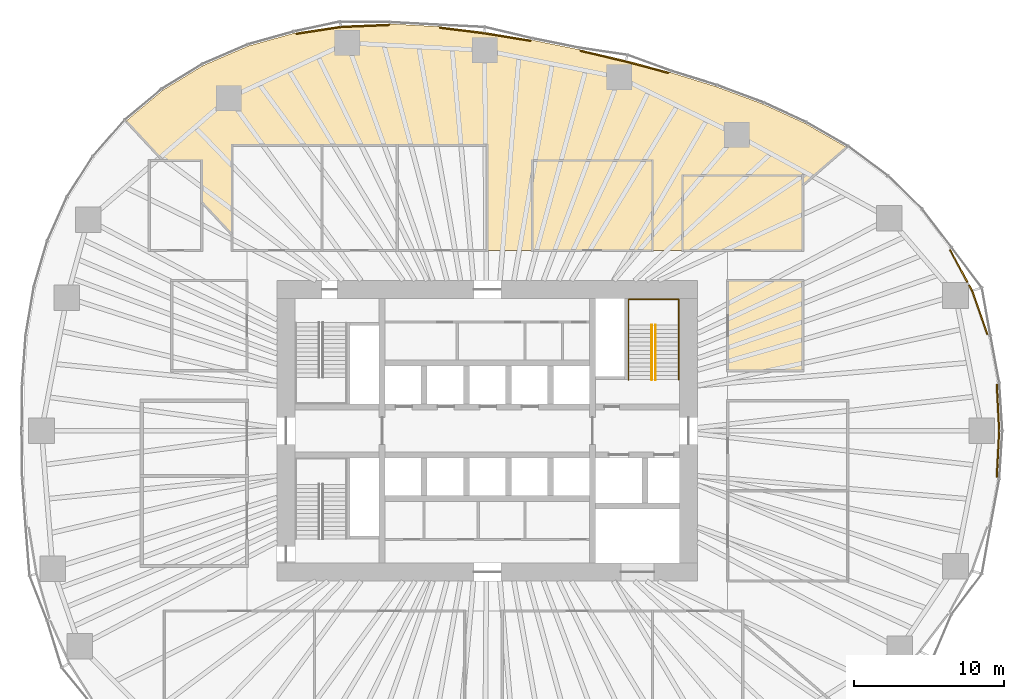
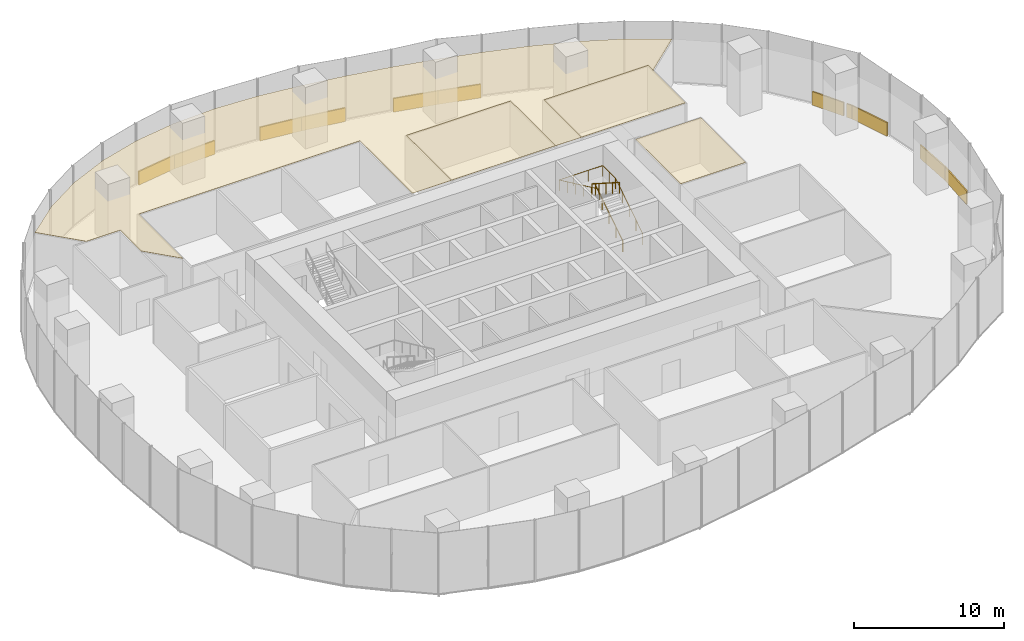
# One storey, part 20 of 20: 15 coverings, 3 railings.
"""IFC4 building model written with IfcOpenShell, lengths in metres."""

from ifc_helpers import new_model, si_unit, direction, frame, origin, origin_2d, place, context, subcontext, project, spatial, polyline, rectangle, circle, outline, extrude, material, layer, layer_set, type_object, element, save


model = new_model("IFC4")

# Units and contexts
model_context = context("Model", 3, precision=1e-05, world=origin(), true_north=direction((0.0, 1.0)))
body_context = subcontext(model_context, "Body", "Model", "MODEL_VIEW")
ifc_project = project(units=[si_unit("LENGTHUNIT", "METRE"), si_unit("AREAUNIT", "SQUARE_METRE"), si_unit("VOLUMEUNIT", "CUBIC_METRE"), si_unit("PLANEANGLEUNIT", "RADIAN"), si_unit("MASSUNIT", "GRAM", prefix="KILO")], contexts=[model_context])

# Site, building, storey
site_placement = place(None, origin())
site = spatial("IfcSite", under=ifc_project, at=site_placement, CompositionType="ELEMENT")
building_placement = place(site_placement, origin())
building = spatial("IfcBuilding", under=site, at=building_placement, Name="Ghaith Harvest Tower", CompositionType="ELEMENT")
storey_placement = place(building_placement, frame((0.0, 0.0, 80.0)))
storey = spatial("IfcBuildingStorey", under=building, at=storey_placement, Name="L16", CompositionType="ELEMENT", Elevation=80.0)

# Coverings
ifc_material_1 = material(Name="Mineral fibre ceiling tile", Category="gypsum")
ifc_layer_1 = layer(ifc_material_1, 0.02490234375)
ifc_layer_set_1 = layer_set([ifc_layer_1], Name="CEILING C2")
covering_type_1 = type_object("IfcCoveringType", Name="CEILING C2", PredefinedType="CEILING", material=ifc_layer_set_1)
covering_1_placement = place(storey_placement, frame((0.0, 0.0, 3.60009765625)))
element("IfcCovering", 1, at=covering_1_placement, inside=storey, type_object=covering_type_1, Name="Ceiling L16-10", PredefinedType="CEILING", context=body_context, shape_type="SweptSolid", body=[
    extrude(outline(polyline([(3.0, 12.0), (11.0, 12.0), (11.0, 18.0), (3.0, 18.0), (3.0, 12.0)])), origin(), (0.0, 0.0, 1.0), 0.02490234375),
])
covering_2_placement = place(storey_placement, frame((0.0, 0.0, 3.60009765625)))
element("IfcCovering", 2, at=covering_2_placement, inside=storey, type_object=covering_type_1, Name="Ceiling L16-13", PredefinedType="CEILING", context=body_context, shape_type="SweptSolid", body=[
    extrude(outline(polyline([(13.0, 12.0), (21.0, 12.0), (21.0, 17.0), (13.0, 17.0), (13.0, 12.0)])), origin(), (0.0, 0.0, 1.0), 0.02490234375),
])
covering_3_placement = place(storey_placement, frame((0.0, 0.0, 3.60009765625)))
element("IfcCovering", 3, at=covering_3_placement, inside=storey, type_object=covering_type_1, Name="Ceiling L16-15", PredefinedType="CEILING", context=body_context, shape_type="SweptSolid", body=[
    extrude(outline(polyline([(16.0, 4.0), (21.0, 4.0), (21.0, 10.0), (16.0, 10.0), (16.0, 4.0)])), origin(), (0.0, 0.0, 1.0), 0.02490234375),
])
covering_4_placement = place(storey_placement, frame((0.0, 0.0, 3.60009765625)))
element("IfcCovering", 4, at=covering_4_placement, inside=storey, type_object=covering_type_1, Name="Ceiling L16-N1", PredefinedType="CEILING", context=body_context, shape_type="SweptSolid", body=[
    extrude(outline(polyline([(-21.59912109375, 22.671142578125), (-18.8935546875, 24.32763671875), (-15.907958984375, 25.614501953125), (-12.828125, 26.476806640625), (-9.733642578125, 26.949951171875), (-6.4375, 27.0849609375), (-3.24755859375, 26.91064453125), (-0.181396484375, 26.527099609375), (2.99560546875, 26.004150390625), (6.10888671875, 25.378662109375), (9.21533203125, 24.65087890625), (12.1796875, 23.857666015625), (15.22119140625, 22.916259765625), (18.34521484375, 21.7548828125), (21.149169921875, 20.469482421875), (23.92431640625, 18.873046875), (21.0, 16.336669921875), (21.0, 17.0), (13.0, 17.0), (13.0, 12.0), (11.0, 12.0), (11.0, 18.0), (3.0, 18.0), (3.0, 12.0), (0.0, 12.0), (0.0, 19.0), (-17.0, 19.0), (-17.0, 13.07080078125), (-19.0, 15.21240234375), (-19.0, 18.0), (-21.60302734375, 18.0), (-24.04833984375, 20.618408203125), (-21.59912109375, 22.671142578125)])), origin(), (0.0, 0.0, 1.0), 0.02490234375),
])

# Railings
ifc_material_2 = material(Name="Steel, black powder-coated", Category="steel")
railing_type = type_object("IfcRailingType", Name="HANDRAIL HR1", PredefinedType="HANDRAIL", material=ifc_material_2)
railing_1_placement = place(storey_placement, frame((11.199951171875, 3.39990234375, 0.178466796875)))
element("IfcRailing", 5, at=railing_1_placement, inside=storey, type_object=railing_type, Name="Handrail HR1 stair ST2 L16 flight 1 inner", PredefinedType="HANDRAIL", context=body_context, shape_type="SweptSolid", body=[
    extrude(circle(Radius=0.02392578125, at=origin_2d()), frame((0.0, 0.0, 0.8759765625), z_axis=(0.0, 0.843127859045, 0.537713132908), x_axis=(-1.0, 0.0, 0.0)), (0.0, 0.0, 1.0), 4.3173828125),
    extrude(circle(Radius=0.02099609375, at=origin_2d()), origin(), (0.0, 0.0, 1.0), 0.851806640625),
    extrude(circle(Radius=0.02099609375, at=origin_2d()), frame((0.0, 0.91015625, 0.580322265625)), (0.0, 0.0, 1.0), 0.851806640625),
    extrude(circle(Radius=0.02099609375, at=origin_2d()), frame((0.0, 1.820068359375, 1.16064453125)), (0.0, 0.0, 1.0), 0.851806640625),
    extrude(circle(Radius=0.02099609375, at=origin_2d()), frame((0.0, 2.72998046875, 1.7412109375)), (0.0, 0.0, 1.0), 0.851806640625),
    extrude(circle(Radius=0.02099609375, at=origin_2d()), frame((0.0, 3.64013671875, 2.321533203125)), (0.0, 0.0, 1.0), 0.851806640625),
])
railing_2_placement = place(storey_placement, frame((10.949951171875, 7.0400390625, 2.678466796875)))
element("IfcRailing", 6, at=railing_2_placement, inside=storey, type_object=railing_type, Name="Handrail HR1 stair ST2 L16 flight 2 inner", PredefinedType="HANDRAIL", context=body_context, shape_type="SweptSolid", body=[
    extrude(circle(Radius=0.02392578125, at=origin_2d()), frame((0.0, 0.0, 0.8759765625), z_axis=(0.0, -0.843127859045, 0.537713132908), x_axis=(1.0, 0.0, 0.0)), (0.0, 0.0, 1.0), 4.3173828125),
    extrude(circle(Radius=0.02099609375, at=origin_2d()), origin(), (0.0, 0.0, 1.0), 0.851806640625),
    extrude(circle(Radius=0.02099609375, at=origin_2d()), frame((0.0, -0.91015625, 0.580322265625)), (0.0, 0.0, 1.0), 0.851806640625),
    extrude(circle(Radius=0.02099609375, at=origin_2d()), frame((0.0, -1.820068359375, 1.16064453125)), (0.0, 0.0, 1.0), 0.851806640625),
    extrude(circle(Radius=0.02099609375, at=origin_2d()), frame((0.0, -2.72998046875, 1.7412109375)), (0.0, 0.0, 1.0), 0.851806640625),
    extrude(circle(Radius=0.02099609375, at=origin_2d()), frame((0.0, -3.64013671875, 2.321533203125)), (0.0, 0.0, 1.0), 0.851806640625),
])
railing_3_placement = place(storey_placement, frame((12.75, 3.39990234375, 0.178466796875)))
element("IfcRailing", 7, at=railing_3_placement, inside=storey, type_object=railing_type, Name="Handrail HR1 stair ST2 L16 wall side", PredefinedType="HANDRAIL", context=body_context, shape_type="SweptSolid", body=[
    extrude(circle(Radius=0.02392578125, at=origin_2d()), frame((0.0, 0.0, 0.8759765625), z_axis=(0.0, 0.843127859045, 0.537713132908), x_axis=(-1.0, 0.0, 0.0)), (0.0, 0.0, 1.0), 4.3173828125),
    extrude(circle(Radius=0.02392578125, at=origin_2d()), frame((0.0, 3.64013671875, 3.197265625), z_axis=(0.0, 1.0, 0.0), x_axis=(-1.0, 0.0, 0.0)), (0.0, 0.0, 1.0), 1.7099609375),
    extrude(circle(Radius=0.02392578125, at=origin_2d()), frame((0.0, 5.35009765625, 3.197265625), z_axis=(-1.0, 0.0, 0.0), x_axis=(0.0, -1.0, 0.0)), (0.0, 0.0, 1.0), 3.35009765625),
    extrude(circle(Radius=0.02392578125, at=origin_2d()), frame((-3.35009765625, 5.35009765625, 3.197265625), z_axis=(0.0, -0.905969675553, 0.423342588193), x_axis=(1.0, 0.0, 0.0)), (0.0, 0.0, 1.0), 5.9052734375),
    extrude(circle(Radius=0.02099609375, at=origin_2d()), origin(), (0.0, 0.0, 1.0), 0.851806640625),
    extrude(circle(Radius=0.02099609375, at=origin_2d()), frame((0.0, 0.91015625, 0.580322265625)), (0.0, 0.0, 1.0), 0.851806640625),
    extrude(circle(Radius=0.02099609375, at=origin_2d()), frame((0.0, 1.820068359375, 1.16064453125)), (0.0, 0.0, 1.0), 0.851806640625),
    extrude(circle(Radius=0.02099609375, at=origin_2d()), frame((0.0, 2.72998046875, 1.7412109375)), (0.0, 0.0, 1.0), 0.851806640625),
    extrude(circle(Radius=0.02099609375, at=origin_2d()), frame((0.0, 3.64013671875, 2.321533203125)), (0.0, 0.0, 1.0), 0.851806640625),
    extrude(circle(Radius=0.02099609375, at=origin_2d()), frame((0.0, 4.4951171875, 2.321533203125)), (0.0, 0.0, 1.0), 0.851806640625),
    extrude(circle(Radius=0.02099609375, at=origin_2d()), frame((0.0, 5.35009765625, 2.321533203125)), (0.0, 0.0, 1.0), 0.851806640625),
    extrude(circle(Radius=0.02099609375, at=origin_2d()), frame((-1.11669921875, 5.35009765625, 2.321533203125)), (0.0, 0.0, 1.0), 0.851806640625),
    extrude(circle(Radius=0.02099609375, at=origin_2d()), frame((-2.2333984375, 5.35009765625, 2.321533203125)), (0.0, 0.0, 1.0), 0.851806640625),
    extrude(circle(Radius=0.02099609375, at=origin_2d()), frame((-3.35009765625, 5.35009765625, 2.321533203125)), (0.0, 0.0, 1.0), 0.851806640625),
    extrude(circle(Radius=0.02099609375, at=origin_2d()), frame((-3.35009765625, 4.280029296875, 2.821533203125)), (0.0, 0.0, 1.0), 0.851806640625),
    extrude(circle(Radius=0.02099609375, at=origin_2d()), frame((-3.35009765625, 3.2099609375, 3.321533203125)), (0.0, 0.0, 1.0), 0.851806640625),
    extrude(circle(Radius=0.02099609375, at=origin_2d()), frame((-3.35009765625, 2.14013671875, 3.821533203125)), (0.0, 0.0, 1.0), 0.851806640625),
    extrude(circle(Radius=0.02099609375, at=origin_2d()), frame((-3.35009765625, 1.070068359375, 4.321533203125)), (0.0, 0.0, 1.0), 0.851806640625),
    extrude(circle(Radius=0.02099609375, at=origin_2d()), frame((-3.35009765625, 0.0, 4.821533203125)), (0.0, 0.0, 1.0), 0.851806640625),
])

# Coverings
ifc_material_3 = material(Name="Insulated aluminium spandrel panel on steel framing", Category="steel")
ifc_layer_2 = layer(ifc_material_3, 0.10009765625)
ifc_layer_set_2 = layer_set([ifc_layer_2], Name="SLAB EDGE UPSTAND 1100x100")
covering_type_2 = type_object("IfcCoveringType", Name="SLAB EDGE UPSTAND 1100x100", PredefinedType="CLADDING", material=ifc_layer_set_2)
covering_5_placement = place(storey_placement, frame((33.994384765625, 1.54443359375, 0.0), z_axis=(0.0, 0.0, 1.0), x_axis=(-0.052048501689, 0.998644558125, 0.0)))
element("IfcCovering", 8, at=covering_5_placement, inside=storey, type_object=covering_type_2, Name="Slab edge upstand 1 bay 01 L16", PredefinedType="CLADDING", context=body_context, shape_type="SweptSolid", body=[
    extrude(rectangle(XDim=3.098388671875, YDim=0.10009765625, at=origin_2d()), origin(), (0.0, 0.0, 1.0), 1.10009765625),
])
covering_6_placement = place(storey_placement, frame((32.78125, 7.867919921875, 0.0), z_axis=(0.0, 0.0, 1.0), x_axis=(-0.330597697022, 0.943771774702, 0.0)))
element("IfcCovering", 9, at=covering_6_placement, inside=storey, type_object=covering_type_2, Name="Slab edge upstand 3 bay 01 L16", PredefinedType="CLADDING", context=body_context, shape_type="SweptSolid", body=[
    extrude(rectangle(XDim=3.0859375, YDim=0.10009765625, at=origin_2d()), origin(), (0.0, 0.0, 1.0), 1.10009765625),
])
covering_7_placement = place(storey_placement, frame((32.172119140625, 9.505615234375, 0.0), z_axis=(0.0, 0.0, 1.0), x_axis=(-0.476349292539, 0.87925613532, 0.0)))
element("IfcCovering", 10, at=covering_7_placement, inside=storey, type_object=covering_type_2, Name="Slab edge upstand 1 bay 02 L16", PredefinedType="CLADDING", context=body_context, shape_type="SweptSolid", body=[
    extrude(rectangle(XDim=0.42919921875, YDim=0.10009765625, at=origin_2d()), origin(), (0.0, 0.0, 1.0), 1.10009765625),
])
covering_8_placement = place(storey_placement, frame((31.3759765625, 10.9755859375, 0.0), z_axis=(0.0, 0.0, 1.0), x_axis=(-0.476349292539, 0.87925613532, 0.0)))
element("IfcCovering", 11, at=covering_8_placement, inside=storey, type_object=covering_type_2, Name="Slab edge upstand 1 bay 02 L16", PredefinedType="CLADDING", context=body_context, shape_type="SweptSolid", body=[
    extrude(rectangle(XDim=2.46484375, YDim=0.10009765625, at=origin_2d()), origin(), (0.0, 0.0, 1.0), 1.10009765625),
])
covering_9_placement = place(storey_placement, frame((10.63623046875, 24.218994140625, 0.0), z_axis=(0.0, 0.0, 1.0), x_axis=(-0.9660243418, 0.258451099919, 0.0)))
element("IfcCovering", 12, at=covering_9_placement, inside=storey, type_object=covering_type_2, Name="Slab edge upstand 3 bay 04 L16", PredefinedType="CLADDING", context=body_context, shape_type="SweptSolid", body=[
    extrude(rectangle(XDim=2.968505859375, YDim=0.10009765625, at=origin_2d()), origin(), (0.0, 0.0, 1.0), 1.10009765625),
])
covering_10_placement = place(storey_placement, frame((7.699462890625, 24.95458984375, 0.0), z_axis=(0.0, 0.0, 1.0), x_axis=(-0.973634089594, 0.228115452305, 0.0)))
element("IfcCovering", 13, at=covering_10_placement, inside=storey, type_object=covering_type_2, Name="Slab edge upstand 1 bay 05 L16", PredefinedType="CLADDING", context=body_context, shape_type="SweptSolid", body=[
    extrude(rectangle(XDim=3.090576171875, YDim=0.10009765625, at=origin_2d()), origin(), (0.0, 0.0, 1.0), 1.10009765625),
])
covering_11_placement = place(storey_placement, frame((1.349609375, 26.224365234375, 0.0), z_axis=(0.0, 0.0, 1.0), x_axis=(-0.986716247541, 0.162453214305, 0.0)))
element("IfcCovering", 14, at=covering_11_placement, inside=storey, type_object=covering_type_2, Name="Slab edge upstand 3 bay 05 L16", PredefinedType="CLADDING", context=body_context, shape_type="SweptSolid", body=[
    extrude(rectangle(XDim=3.119873046875, YDim=0.10009765625, at=origin_2d()), origin(), (0.0, 0.0, 1.0), 1.10009765625),
])
covering_12_placement = place(storey_placement, frame((-1.671142578125, 26.6630859375, 0.0), z_axis=(0.0, 0.0, 1.0), x_axis=(-0.99226486887, 0.124138753038, 0.0)))
element("IfcCovering", 15, at=covering_12_placement, inside=storey, type_object=covering_type_2, Name="Slab edge upstand 1 bay 06 L16", PredefinedType="CLADDING", context=body_context, shape_type="SweptSolid", body=[
    extrude(rectangle(XDim=2.98974609375, YDim=0.10009765625, at=origin_2d()), origin(), (0.0, 0.0, 1.0), 1.10009765625),
])
covering_13_placement = place(storey_placement, frame((-8.133544921875, 26.965576171875, 0.0), z_axis=(0.0, 0.0, 1.0), x_axis=(-0.999160890982, -0.040957464901, 0.0)))
element("IfcCovering", 16, at=covering_13_placement, inside=storey, type_object=covering_type_2, Name="Slab edge upstand 3 bay 06 L16", PredefinedType="CLADDING", context=body_context, shape_type="SweptSolid", body=[
    extrude(rectangle(XDim=3.198974609375, YDim=0.10009765625, at=origin_2d()), origin(), (0.0, 0.0, 1.0), 1.10009765625),
])
covering_14_placement = place(storey_placement, frame((-11.22412109375, 26.67138671875, 0.0), z_axis=(0.0, 0.0, 1.0), x_axis=(-0.988517924816, -0.1511036476, 0.0)))
element("IfcCovering", 17, at=covering_14_placement, inside=storey, type_object=covering_type_2, Name="Slab edge upstand 1 bay 07 L16", PredefinedType="CLADDING", context=body_context, shape_type="SweptSolid", body=[
    extrude(rectangle(XDim=3.030517578125, YDim=0.10009765625, at=origin_2d()), origin(), (0.0, 0.0, 1.0), 1.10009765625),
])
covering_15_placement = place(storey_placement, frame((33.994384765625, -1.54443359375, 0.0), z_axis=(0.0, 0.0, 1.0), x_axis=(0.052048501794, 0.998644558119, 0.0)))
element("IfcCovering", 18, at=covering_15_placement, inside=storey, type_object=covering_type_2, Name="Slab edge upstand 3 bay 20 L16", PredefinedType="CLADDING", context=body_context, shape_type="SweptSolid", body=[
    extrude(rectangle(XDim=3.098388671875, YDim=0.10009765625, at=origin_2d()), origin(), (0.0, 0.0, 1.0), 1.10009765625),
])

save(model, "model.ifc")
